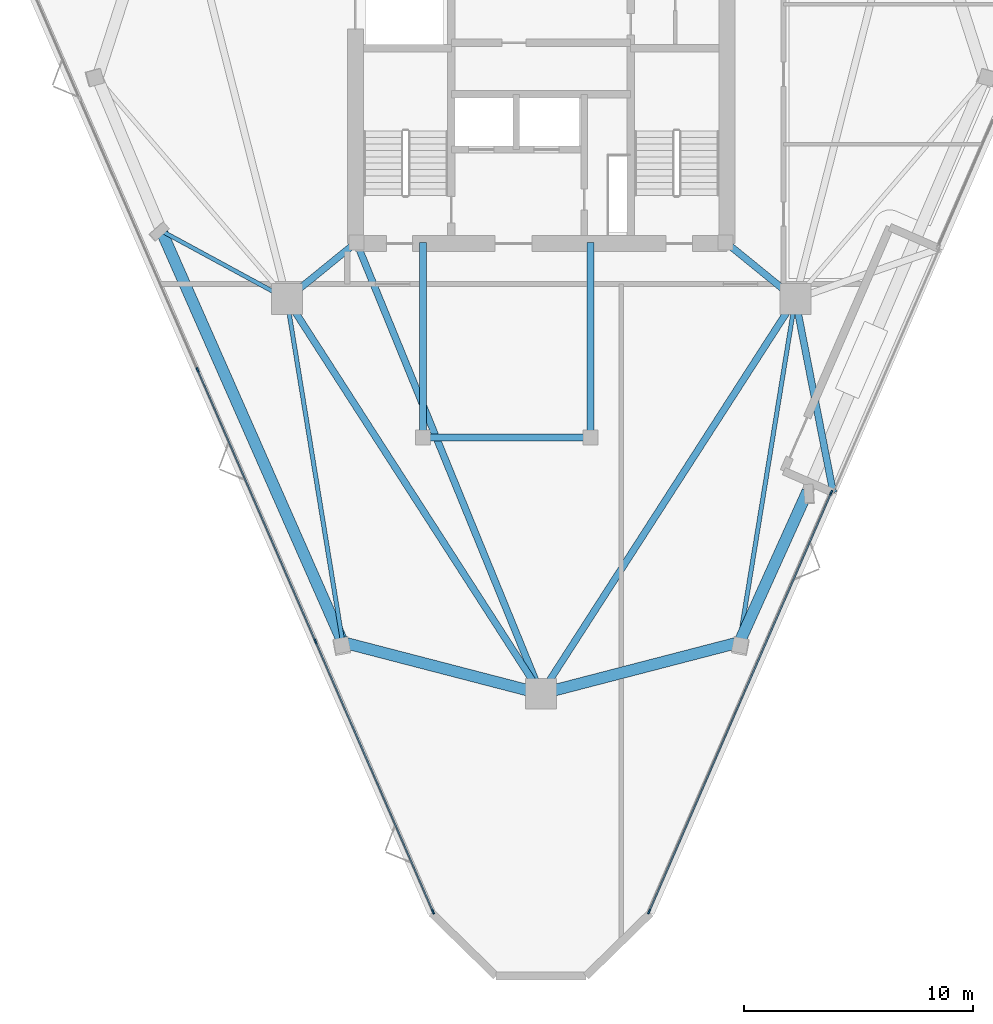
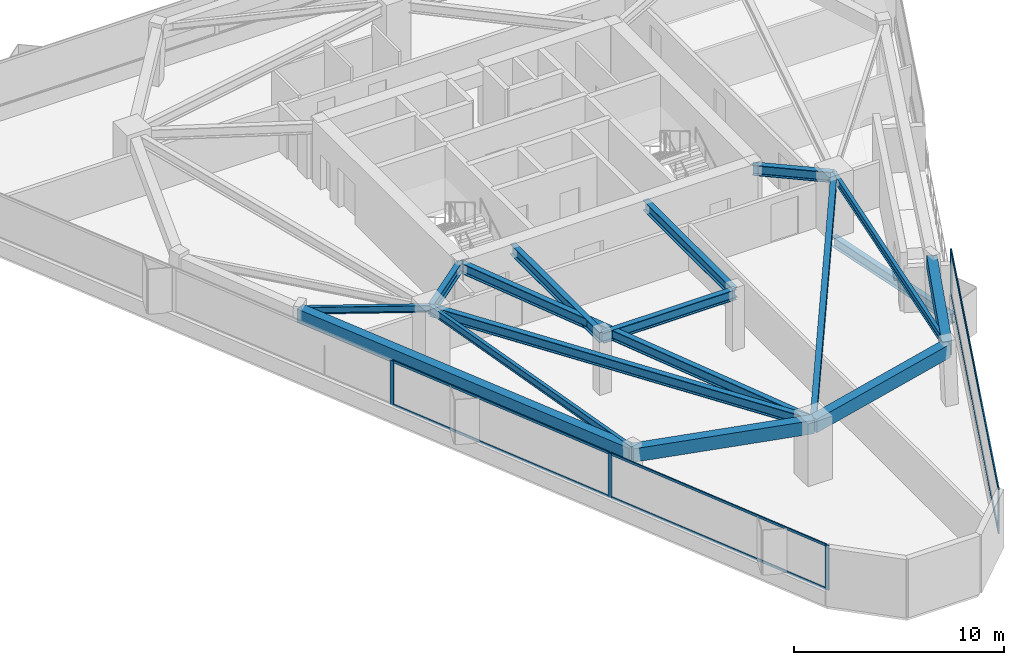
# One storey, part 2 of 11: 16 beams, 11 members, 2 elements without a shape of their own.
"""IFC4 building model written with IfcOpenShell, lengths in metres."""

from ifc_helpers import new_model, si_unit, direction, frame, origin, origin_2d, place, context, subcontext, project, spatial, rectangle, i_section, extrude, material, layer, layer_set, material_profile, profile_set, type_object, element, aggregate, save


model = new_model("IFC4")

# Units and contexts
model_context = context("Model", 3, precision=1e-05, world=origin(), true_north=direction((0.0, 1.0)))
body_context = subcontext(model_context, "Body", "Model", "MODEL_VIEW")
ifc_project = project(units=[si_unit("LENGTHUNIT", "METRE"), si_unit("AREAUNIT", "SQUARE_METRE"), si_unit("VOLUMEUNIT", "CUBIC_METRE"), si_unit("PLANEANGLEUNIT", "RADIAN"), si_unit("MASSUNIT", "GRAM", prefix="KILO")], contexts=[model_context])

# Site, building, storey
site_placement = place(None, origin())
site = spatial("IfcSite", under=ifc_project, at=site_placement, CompositionType="ELEMENT")
building_placement = place(site_placement, origin())
building = spatial("IfcBuilding", under=site, at=building_placement, Name="Talyreon Biosciences Tower", CompositionType="ELEMENT")
storey_placement = place(building_placement, frame((0.0, 0.0, 201.300048828125)))
storey = spatial("IfcBuildingStorey", under=building, at=storey_placement, Name="L53", CompositionType="ELEMENT", Elevation=201.300048828125)

# Curtain wall, members
ifc_material_1 = material(Name="Thermally broken aluminium and low-E glazing", Category="aluminium")
ifc_layer = layer(ifc_material_1, 0.205078125)
ifc_layer_set = layer_set([ifc_layer], Name="Thermally broken aluminium and low-E glazing")
curtain_wall_type = type_object("IfcCurtainWallType", Name="CurtainWall_SkyGardenLoggia", PredefinedType="NOTDEFINED", material=ifc_layer_set)
curtain_wall_1_placement = place(storey_placement, origin())
curtain_wall_1 = element("IfcCurtainWall", 1, at=curtain_wall_1_placement, inside=storey, type_object=curtain_wall_type, Name="L53 Unitised Curtain Wall FCW-L53-11", PredefinedType="NOTDEFINED")
ifc_material_2 = material(Name="Anodised thermally broken aluminium", Category="aluminium")
ifc_material_profile_1 = material_profile(ifc_material_2, rectangle(XDim=0.074951171875, YDim=0.2099609375, at=origin_2d()), Name="ALUM MULLION 75x210")
ifc_profile_set_1 = profile_set([ifc_material_profile_1], Name="Anodised thermally broken aluminium")
member_type_1 = type_object("IfcMemberType", Name="CWMullion_75x210", PredefinedType="MULLION", material=ifc_profile_set_1)
member_1_placement = place(storey_placement, frame((78.6513671875, 50.433349609375, 0.81005859375), z_axis=(0.0, 0.0, 1.0), x_axis=(0.917113940349, -0.3986251628, 0.0)))
member_1 = element("IfcMember", 2, at=member_1_placement, type_object=member_type_1, Name="CW7 mullion 1", PredefinedType="MULLION", context=body_context, shape_type="SweptSolid", body=[
    extrude(rectangle(XDim=0.074951171875, YDim=0.2099609375, at=origin_2d()), origin(), (0.0, 0.0, 1.0), 2.58984375),
])
member_2_placement = place(storey_placement, frame((70.71044921875, 32.164306640625, 0.81005859375), z_axis=(0.0, 0.0, 1.0), x_axis=(0.917113940349, -0.3986251628, 0.0)))
member_2 = element("IfcMember", 3, at=member_2_placement, type_object=member_type_1, Name="CW7 mullion 2", PredefinedType="MULLION", context=body_context, shape_type="SweptSolid", body=[
    extrude(rectangle(XDim=0.074951171875, YDim=0.2099609375, at=origin_2d()), origin(), (0.0, 0.0, 1.0), 2.58984375),
])

curtain_wall_2_placement = place(storey_placement, origin())
curtain_wall_2 = element("IfcCurtainWall", 4, at=curtain_wall_2_placement, inside=storey, type_object=curtain_wall_type, Name="L53 Unitised Curtain Wall FCW-L53-15", PredefinedType="NOTDEFINED")
member_3_placement = place(storey_placement, frame((61.28955078125, 32.164306640625, 0.81005859375), z_axis=(0.0, 0.0, 1.0), x_axis=(-0.917113439943, -0.398626314079, 0.0)))
member_3 = element("IfcMember", 5, at=member_3_placement, type_object=member_type_1, Name="CW7 mullion 1", PredefinedType="MULLION", context=body_context, shape_type="SweptSolid", body=[
    extrude(rectangle(XDim=0.074951171875, YDim=0.2099609375, at=origin_2d()), origin(), (0.0, 0.0, 1.0), 2.58984375),
])
member_4_placement = place(storey_placement, frame((56.1630859375, 43.95849609375, 0.81005859375), z_axis=(0.0, 0.0, 1.0), x_axis=(-0.917113439943, -0.398626314079, 0.0)))
member_4 = element("IfcMember", 6, at=member_4_placement, type_object=member_type_1, Name="CW7 mullion 2", PredefinedType="MULLION", context=body_context, shape_type="SweptSolid", body=[
    extrude(rectangle(XDim=0.074951171875, YDim=0.2099609375, at=origin_2d()), origin(), (0.0, 0.0, 1.0), 2.58984375),
])
member_5_placement = place(storey_placement, frame((51.021728515625, 55.787109375, 0.81005859375), z_axis=(0.0, 0.0, 1.0), x_axis=(-0.917113439943, -0.398626314079, 0.0)))
member_5 = element("IfcMember", 7, at=member_5_placement, type_object=member_type_1, Name="CW7 mullion 3", PredefinedType="MULLION", context=body_context, shape_type="SweptSolid", body=[
    extrude(rectangle(XDim=0.074951171875, YDim=0.2099609375, at=origin_2d()), origin(), (0.0, 0.0, 1.0), 2.58984375),
])

# Member
ifc_material_profile_2 = material_profile(ifc_material_2, rectangle(XDim=0.06494140625, YDim=0.139892578125, at=origin_2d()), Name="ALUM TRANSOM 65x140")
ifc_profile_set_2 = profile_set([ifc_material_profile_2], Name="Anodised thermally broken aluminium")
member_type_2 = type_object("IfcMemberType", Name="CWTransom_65x140", PredefinedType="USERDEFINED", material=ifc_profile_set_2)
member_6_placement = place(storey_placement, frame((78.63623046875, 50.39892578125, 0.842529296875), z_axis=(-0.39861634699, -0.917117772106, 0.0), x_axis=(0.917117772106, -0.39861634699, 0.0)))
member_6 = element("IfcMember", 8, at=member_6_placement, type_object=member_type_2, Name="CW7 transom 1.1", ObjectType="TRANSOM", PredefinedType="USERDEFINED", context=body_context, shape_type="SweptSolid", body=[
    extrude(rectangle(XDim=0.06494140625, YDim=0.139892578125, at=origin_2d()), origin(), (0.0, 0.0, 1.0), 19.84521484375),
])

member_7_placement = place(storey_placement, frame((78.63623046875, 50.39892578125, 3.367431640625), z_axis=(-0.39861634699, -0.917117772106, 0.0), x_axis=(0.917117772106, -0.39861634699, 0.0)))
member_7 = element("IfcMember", 9, at=member_7_placement, type_object=member_type_2, Name="CW7 transom 1.2", ObjectType="TRANSOM", PredefinedType="USERDEFINED", context=body_context, shape_type="SweptSolid", body=[
    extrude(rectangle(XDim=0.06494140625, YDim=0.139892578125, at=origin_2d()), origin(), (0.0, 0.0, 1.0), 19.84521484375),
])

aggregate(curtain_wall_1, [member_1, member_2, member_6, member_7])

member_8_placement = place(storey_placement, frame((61.2744140625, 32.198486328125, 0.842529296875), z_axis=(-0.398617880751, 0.91711710547, 0.0), x_axis=(-0.91711710547, -0.398617880751, 0.0)))
member_8 = element("IfcMember", 10, at=member_8_placement, type_object=member_type_2, Name="CW7 transom 1.1", ObjectType="TRANSOM", PredefinedType="USERDEFINED", context=body_context, shape_type="SweptSolid", body=[
    extrude(rectangle(XDim=0.06494140625, YDim=0.139892578125, at=origin_2d()), origin(), (0.0, 0.0, 1.0), 12.78515625),
])

member_9_placement = place(storey_placement, frame((61.2744140625, 32.198486328125, 3.367431640625), z_axis=(-0.398617880751, 0.91711710547, 0.0), x_axis=(-0.91711710547, -0.398617880751, 0.0)))
member_9 = element("IfcMember", 11, at=member_9_placement, type_object=member_type_2, Name="CW7 transom 1.2", ObjectType="TRANSOM", PredefinedType="USERDEFINED", context=body_context, shape_type="SweptSolid", body=[
    extrude(rectangle(XDim=0.06494140625, YDim=0.139892578125, at=origin_2d()), origin(), (0.0, 0.0, 1.0), 12.78515625),
])

member_10_placement = place(storey_placement, frame((56.148193359375, 43.992919921875, 0.842529296875), z_axis=(-0.398636298553, 0.917109100095, 0.0), x_axis=(-0.917109100095, -0.398636298553, 0.0)))
member_10 = element("IfcMember", 12, at=member_10_placement, type_object=member_type_2, Name="CW7 transom 2.1", ObjectType="TRANSOM", PredefinedType="USERDEFINED", context=body_context, shape_type="SweptSolid", body=[
    extrude(rectangle(XDim=0.06494140625, YDim=0.139892578125, at=origin_2d()), origin(), (0.0, 0.0, 1.0), 12.82275390625),
])

member_11_placement = place(storey_placement, frame((56.148193359375, 43.992919921875, 3.367431640625), z_axis=(-0.398636298553, 0.917109100095, 0.0), x_axis=(-0.917109100095, -0.398636298553, 0.0)))
member_11 = element("IfcMember", 13, at=member_11_placement, type_object=member_type_2, Name="CW7 transom 2.2", ObjectType="TRANSOM", PredefinedType="USERDEFINED", context=body_context, shape_type="SweptSolid", body=[
    extrude(rectangle(XDim=0.06494140625, YDim=0.139892578125, at=origin_2d()), origin(), (0.0, 0.0, 1.0), 12.82275390625),
])

aggregate(curtain_wall_2, [member_3, member_4, member_5, member_8, member_9, member_10, member_11])

# Beams
ifc_material_3 = material(Name="Precast concrete C45/55", Category="concrete")
ifc_material_profile_3 = material_profile(ifc_material_3, rectangle(XDim=0.5, YDim=0.780029296875, at=origin_2d()), Name="RCB 500x780")
ifc_profile_set_3 = profile_set([ifc_material_profile_3], Name="Precast concrete C45/55")
beam_type_1 = type_object("IfcBeamType", Name="ExpressedSpandrel_500x780", PredefinedType="SPANDREL", material=ifc_profile_set_3)
beam_1_placement = place(storey_placement, frame((66.0, 41.6669921875, 3.010009765625), z_axis=(0.967940829793, 0.251178323148, 0.0), x_axis=(-0.251178323148, 0.967940829793, 0.0)))
element("IfcBeam", 14, at=beam_1_placement, inside=storey, type_object=beam_type_1, Name="L53 Expressed Horizontal Concrete Spandrel 01", PredefinedType="SPANDREL", context=body_context, shape_type="SweptSolid", body=[
    extrude(rectangle(XDim=0.5, YDim=0.780029296875, at=origin_2d()), origin(), (0.0, 0.0, 1.0), 8.936279296875),
])
beam_2_placement = place(storey_placement, frame((74.64990234375, 43.91162109375, 3.010009765625), z_axis=(0.411290579188, 0.911504283847, 0.0), x_axis=(-0.911504283847, 0.411290579188, 0.0)))
element("IfcBeam", 15, at=beam_2_placement, inside=storey, type_object=beam_type_1, Name="L53 Expressed Horizontal Concrete Spandrel 02", PredefinedType="SPANDREL", context=body_context, shape_type="SweptSolid", body=[
    extrude(rectangle(XDim=0.5, YDim=0.780029296875, at=origin_2d()), origin(), (0.0, 0.0, 1.0), 7.223388671875),
])
beam_3_placement = place(storey_placement, frame((49.443359375, 61.851318359375, 3.010009765625), z_axis=(0.403305686609, -0.915065310865, 0.0), x_axis=(0.915065310865, 0.403305686609, 0.0)))
element("IfcBeam", 16, at=beam_3_placement, inside=storey, type_object=beam_type_1, Name="L53 Expressed Horizontal Concrete Spandrel 11", PredefinedType="SPANDREL", context=body_context, shape_type="SweptSolid", body=[
    extrude(rectangle(XDim=0.5, YDim=0.780029296875, at=origin_2d()), origin(), (0.0, 0.0, 1.0), 19.604736328125),
])
beam_4_placement = place(storey_placement, frame((57.35009765625, 43.91162109375, 3.010009765625), z_axis=(0.967940829793, -0.251178323148, 0.0), x_axis=(0.251178323148, 0.967940829793, 0.0)))
element("IfcBeam", 17, at=beam_4_placement, inside=storey, type_object=beam_type_1, Name="L53 Expressed Horizontal Concrete Spandrel 12", PredefinedType="SPANDREL", context=body_context, shape_type="SweptSolid", body=[
    extrude(rectangle(XDim=0.5, YDim=0.780029296875, at=origin_2d()), origin(), (0.0, 0.0, 1.0), 8.936279296875),
])
ifc_material_4 = material(Name="Steel SM355", Category="steel")
ifc_material_profile_4 = material_profile(ifc_material_4, i_section(OverallWidth=0.300048828125, OverallDepth=0.60009765625, WebThickness=0.015380859375, FlangeThickness=0.030029296875, FilletRadius=0.027099609375, at=origin_2d()), Name="HE600B")
ifc_profile_set_4 = profile_set([ifc_material_profile_4], Name="Steel SM355")
beam_type_2 = type_object("IfcBeamType", Name="SteelBeam_HE600B", PredefinedType="BEAM", material=ifc_profile_set_4)
for number, where, z_axis, x_axis, name in (
    (18, (66.0, 41.6669921875, 3.099853515625), (0.541463723609, 0.840724114092, 0.0), (-0.840724114092, 0.541463723609, 0.0), "L53 Mega-Ring Girder 1"),
    (19, (54.913818359375, 58.88037109375, 3.099853515625), (0.541463723609, -0.840724114092, 0.0), (0.840724114092, 0.541463723609, 0.0), "L53 Mega-Ring Girder 6"),
):
    element("IfcBeam", number, at=place(storey_placement, frame(where, z_axis=z_axis, x_axis=x_axis)), inside=storey, type_object=beam_type_2, Name=name, PredefinedType="BEAM", context=body_context, shape_type="SweptSolid", body=[
        extrude(i_section(OverallWidth=0.300048828125, OverallDepth=0.60009765625, WebThickness=0.015380859375, FlangeThickness=0.030029296875, FilletRadius=0.027099609375, at=origin_2d()), origin(), (0.0, 0.0, 1.0), 20.474365234375),
    ])
beam_5_placement = place(storey_placement, frame((57.949951171875, 61.35009765625, 3.099853515625), z_axis=(0.378547014545, -0.925582064314, 0.0), x_axis=(0.925582064314, 0.378547014545, 0.0)))
element("IfcBeam", 20, at=beam_5_placement, inside=storey, type_object=beam_type_2, Name="L53 Radial Primary Girder 1", PredefinedType="BEAM", context=body_context, shape_type="SweptSolid", body=[
    extrude(i_section(OverallWidth=0.300048828125, OverallDepth=0.60009765625, WebThickness=0.015380859375, FlangeThickness=0.030029296875, FilletRadius=0.027099609375, at=origin_2d()), origin(), (0.0, 0.0, 1.0), 21.265625),
])
for number, where, z_axis, x_axis, name in (
    (21, (74.050048828125, 61.35009765625, 3.099853515625), (0.775755154013, -0.631034025249, 0.0), (0.631034025249, 0.775755154013, 0.0), "L53 Radial Primary Girder 2"),
    (22, (57.949951171875, 61.35009765625, 3.099853515625), (-0.775755154013, -0.631034025249, 0.0), (0.631034025249, -0.775755154013, 0.0), "L53 Radial Primary Girder 6"),
):
    element("IfcBeam", number, at=place(storey_placement, frame(where, z_axis=z_axis, x_axis=x_axis)), inside=storey, type_object=beam_type_2, Name=name, PredefinedType="BEAM", context=body_context, shape_type="SweptSolid", body=[
        extrude(i_section(OverallWidth=0.300048828125, OverallDepth=0.60009765625, WebThickness=0.015380859375, FlangeThickness=0.030029296875, FilletRadius=0.027099609375, at=origin_2d()), origin(), (0.0, 0.0, 1.0), 3.913818359375),
    ])
beam_6_placement = place(storey_placement, frame((60.85009765625, 52.840087890625, 3.099853515625), z_axis=(1.0, 0.0, 0.0), x_axis=(0.0, 1.0, 0.0)))
element("IfcBeam", 23, at=beam_6_placement, inside=storey, type_object=beam_type_2, Name="L53 Crown Shaft Spine Girder S", PredefinedType="BEAM", context=body_context, shape_type="SweptSolid", body=[
    extrude(i_section(OverallWidth=0.300048828125, OverallDepth=0.60009765625, WebThickness=0.015380859375, FlangeThickness=0.030029296875, FilletRadius=0.027099609375, at=origin_2d()), origin(), (0.0, 0.0, 1.0), 7.2998046875),
])
for number, where, z_axis, x_axis, name in (
    (24, (60.85009765625, 52.840087890625, 3.099853515625), (0.0, 1.0, 0.0), (-1.0, 0.0, 0.0), "L53 Crown Shaft Tie Girder W"),
    (25, (68.14990234375, 52.840087890625, 3.099853515625), (0.0, 1.0, 0.0), (-1.0, 0.0, 0.0), "L53 Crown Shaft Tie Girder E"),
):
    element("IfcBeam", number, at=place(storey_placement, frame(where, z_axis=z_axis, x_axis=x_axis)), inside=storey, type_object=beam_type_2, Name=name, PredefinedType="BEAM", context=body_context, shape_type="SweptSolid", body=[
        extrude(i_section(OverallWidth=0.300048828125, OverallDepth=0.60009765625, WebThickness=0.015380859375, FlangeThickness=0.030029296875, FilletRadius=0.027099609375, at=origin_2d()), origin(), (0.0, 0.0, 1.0), 8.510009765625),
    ])
beam_7_placement = place(storey_placement, frame((77.086181640625, 58.88037109375, -0.630126953125), z_axis=(0.192136948999, -0.981368122994, 0.0), x_axis=(0.981368122994, 0.192136948999, 0.0)))
element("IfcBeam", 26, at=beam_7_placement, inside=storey, type_object=beam_type_2, Name="L53 Sky-Garden Terrace Edge Outrigger 1", PredefinedType="BEAM", context=body_context, shape_type="SweptSolid", body=[
    extrude(i_section(OverallWidth=0.300048828125, OverallDepth=0.60009765625, WebThickness=0.015380859375, FlangeThickness=0.030029296875, FilletRadius=0.027099609375, at=origin_2d()), origin(), (0.0, 0.0, 1.0), 8.60498046875),
])
ifc_material_profile_5 = material_profile(ifc_material_4, i_section(OverallWidth=0.179931640625, OverallDepth=0.39990234375, WebThickness=0.008544921875, FlangeThickness=0.013427734375, FilletRadius=0.02099609375, at=origin_2d()), Name="IPE400")
ifc_profile_set_5 = profile_set([ifc_material_profile_5], Name="Steel SM355")
beam_type_3 = type_object("IfcBeamType", Name="SteelJoist_IPE400", PredefinedType="JOIST", material=ifc_profile_set_5)
beam_8_placement = place(storey_placement, frame((54.913818359375, 58.88037109375, 3.199951171875), z_axis=(-0.878767908461, 0.477249371985, 0.0), x_axis=(-0.477249371985, -0.878767908461, 0.0)))
element("IfcBeam", 27, at=beam_8_placement, inside=storey, type_object=beam_type_3, Name="L53 Radial Composite Floor Joist PL-SW", PredefinedType="JOIST", context=body_context, shape_type="SweptSolid", body=[
    extrude(i_section(OverallWidth=0.179931640625, OverallDepth=0.39990234375, WebThickness=0.008544921875, FlangeThickness=0.013427734375, FilletRadius=0.02099609375, at=origin_2d()), origin(), (0.0, 0.0, 1.0), 6.22509765625),
])
ifc_material_profile_6 = material_profile(ifc_material_4, i_section(OverallWidth=0.18994140625, OverallDepth=0.449951171875, WebThickness=0.009521484375, FlangeThickness=0.0146484375, FilletRadius=0.02099609375, at=origin_2d()), Name="IPE450")
ifc_profile_set_6 = profile_set([ifc_material_profile_6], Name="Steel SM355")
beam_type_4 = type_object("IfcBeamType", Name="SteelJoist_IPE450", PredefinedType="JOIST", material=ifc_profile_set_6)
for number, where, z_axis, x_axis, name in (
    (28, (77.086181640625, 58.88037109375, 3.175048828125), (-0.160643872103, -0.987012434752, 0.0), (0.987012434752, -0.160643872103, 0.0), "L53 Radial Composite Floor Joist PC-SE1"),
    (29, (54.913818359375, 58.88037109375, 3.175048828125), (0.160643872103, -0.987012434752, 0.0), (0.987012434752, 0.160643872103, 0.0), "L53 Radial Composite Floor Joist PC-SW2"),
):
    element("IfcBeam", number, at=place(storey_placement, frame(where, z_axis=z_axis, x_axis=x_axis)), inside=storey, type_object=beam_type_4, Name=name, PredefinedType="JOIST", context=body_context, shape_type="SweptSolid", body=[
        extrude(i_section(OverallWidth=0.18994140625, OverallDepth=0.449951171875, WebThickness=0.009521484375, FlangeThickness=0.0146484375, FilletRadius=0.02099609375, at=origin_2d()), origin(), (0.0, 0.0, 1.0), 15.165771484375),
    ])

save(model, "model.ifc")
